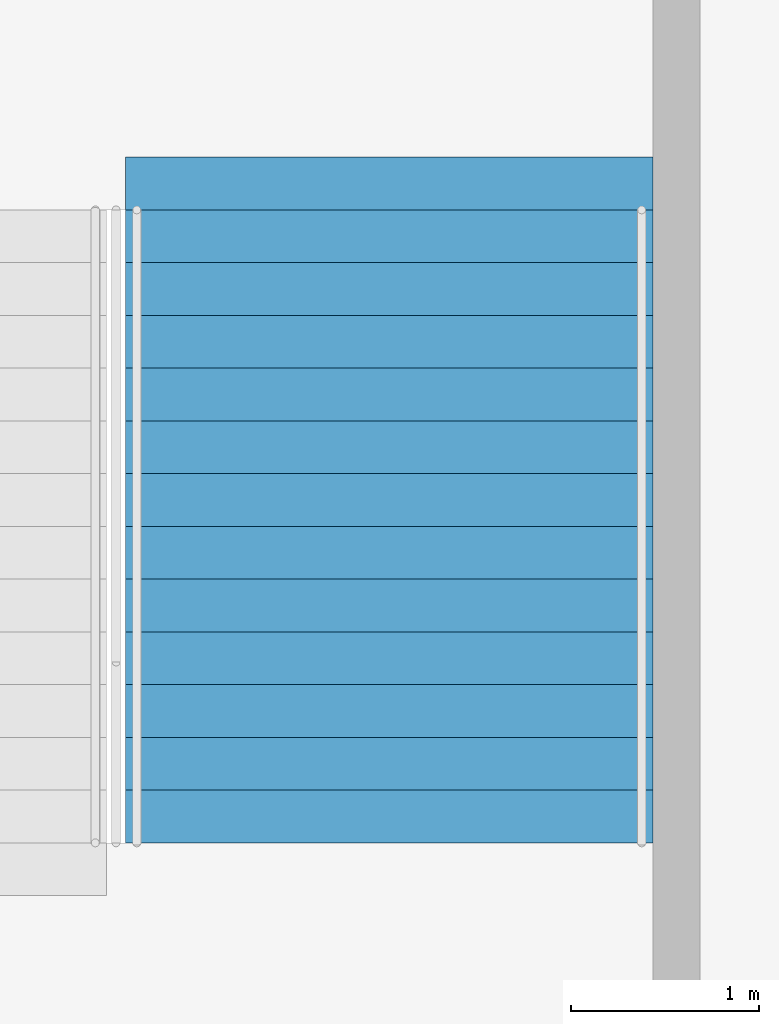
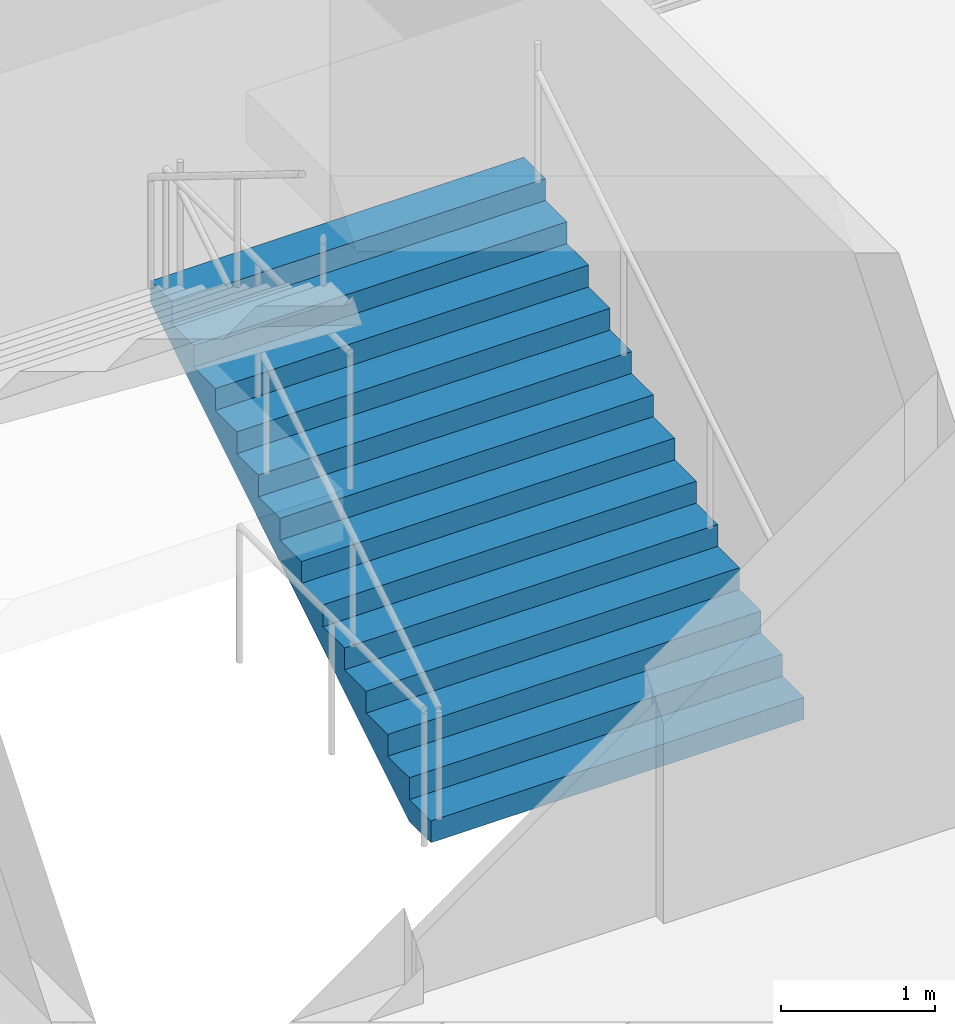
# One storey, part 170 of 199: 1 stair flight, 1 element without a shape of its own.
"""IFC4 building model written with IfcOpenShell, lengths in metres."""

from ifc_helpers import new_model, si_unit, direction, frame, origin, place, context, subcontext, project, spatial, faceted_brep, material, type_object, element, aggregate, save


model = new_model("IFC4")

# Units and contexts
model_context = context("Model", 3, precision=1e-05, world=origin(), true_north=direction((0.0, 1.0)))
body_context = subcontext(model_context, "Body", "Model", "MODEL_VIEW")
ifc_project = project(units=[si_unit("LENGTHUNIT", "METRE"), si_unit("AREAUNIT", "SQUARE_METRE"), si_unit("VOLUMEUNIT", "CUBIC_METRE"), si_unit("PLANEANGLEUNIT", "RADIAN"), si_unit("MASSUNIT", "GRAM", prefix="KILO")], contexts=[model_context])

# Site, building, storey
site_placement = place(None, origin())
site = spatial("IfcSite", under=ifc_project, at=site_placement, CompositionType="ELEMENT")
building_placement = place(site_placement, origin())
building = spatial("IfcBuilding", under=site, at=building_placement, Name="Ogive Plaza Stadium", CompositionType="ELEMENT")
storey_placement = place(building_placement, frame((0.0, 0.0, 9.0)))
storey = spatial("IfcBuildingStorey", under=building, at=storey_placement, Name="L02", CompositionType="ELEMENT", Elevation=9.0)

# Stair, stair flight
ifc_material_1 = material(Name="Concrete C40/50", Category="concrete")
stair_type = type_object("IfcStairType", Name="Exit stair", PredefinedType="STRAIGHT_RUN_STAIR", material=ifc_material_1)
stair_placement = place(storey_placement, origin())
stair = element("IfcStair", 1, at=stair_placement, inside=storey, type_object=stair_type, Name="Exit stair ST36A L02 to L03", PredefinedType="STRAIGHT_RUN_STAIR")
ifc_material_2 = material(Name="Concrete C40/50", Category="concrete")
stair_flight_type = type_object("IfcStairFlightType", Name="Exit stair flight", PredefinedType="STRAIGHT", material=ifc_material_2)
stair_flight_placement = place(storey_placement, frame((24.824951171875, 94.85009765625, 0.0), z_axis=(0.0, 0.0, 1.0), x_axis=(0.0, 1.0, 0.0)))
stair_flight = element("IfcStairFlight", 2, at=stair_flight_placement, type_object=stair_flight_type, Name="ST36A flight 1", NumberOfRisers=13, NumberOfTreads=12, PredefinedType="STRAIGHT", RiserHeight=0.173076923, TreadLength=0.28, context=body_context, shape_type="Brep", body=[
    faceted_brep([(0.28515625, -1.39990234375, 0.0), (3.639892578125, -1.39990234375, 2.07373046875), (3.639892578125, -1.39990234375, 2.25), (3.360107421875, -1.39990234375, 2.25), (3.360107421875, -1.39990234375, 2.076904296875), (3.080078125, -1.39990234375, 2.076904296875), (3.080078125, -1.39990234375, 1.90380859375), (2.800048828125, -1.39990234375, 1.90380859375), (2.800048828125, -1.39990234375, 1.730712890625), (2.52001953125, -1.39990234375, 1.730712890625), (2.52001953125, -1.39990234375, 1.5576171875), (2.239990234375, -1.39990234375, 1.5576171875), (2.239990234375, -1.39990234375, 1.384521484375), (1.9599609375, -1.39990234375, 1.384521484375), (1.9599609375, -1.39990234375, 1.21142578125), (1.679931640625, -1.39990234375, 1.21142578125), (1.679931640625, -1.39990234375, 1.03857421875), (1.39990234375, -1.39990234375, 1.03857421875), (1.39990234375, -1.39990234375, 0.865478515625), (1.1201171875, -1.39990234375, 0.865478515625), (1.1201171875, -1.39990234375, 0.6923828125), (0.840087890625, -1.39990234375, 0.6923828125), (0.840087890625, -1.39990234375, 0.519287109375), (0.56005859375, -1.39990234375, 0.519287109375), (0.56005859375, -1.39990234375, 0.34619140625), (0.280029296875, -1.39990234375, 0.34619140625), (0.280029296875, -1.39990234375, 0.173095703125), (0.0, -1.39990234375, 0.173095703125), (0.0, -1.39990234375, 0.0), (0.0, 1.39990234375, 0.0), (0.0, 1.39990234375, 0.173095703125), (0.280029296875, 1.39990234375, 0.173095703125), (0.280029296875, 1.39990234375, 0.34619140625), (0.56005859375, 1.39990234375, 0.34619140625), (0.56005859375, 1.39990234375, 0.519287109375), (0.840087890625, 1.39990234375, 0.519287109375), (0.840087890625, 1.39990234375, 0.6923828125), (1.1201171875, 1.39990234375, 0.6923828125), (1.1201171875, 1.39990234375, 0.865478515625), (1.39990234375, 1.39990234375, 0.865478515625), (1.39990234375, 1.39990234375, 1.03857421875), (1.679931640625, 1.39990234375, 1.03857421875), (1.679931640625, 1.39990234375, 1.21142578125), (1.9599609375, 1.39990234375, 1.21142578125), (1.9599609375, 1.39990234375, 1.384521484375), (2.239990234375, 1.39990234375, 1.384521484375), (2.239990234375, 1.39990234375, 1.5576171875), (2.52001953125, 1.39990234375, 1.5576171875), (2.52001953125, 1.39990234375, 1.730712890625), (2.800048828125, 1.39990234375, 1.730712890625), (2.800048828125, 1.39990234375, 1.90380859375), (3.080078125, 1.39990234375, 1.90380859375), (3.080078125, 1.39990234375, 2.076904296875), (3.360107421875, 1.39990234375, 2.076904296875), (3.360107421875, 1.39990234375, 2.25), (3.639892578125, 1.39990234375, 2.25), (3.639892578125, 1.39990234375, 2.07373046875), (0.28515625, 1.39990234375, 0.0), (0.28515625, -1.0888671875, 0.0), (3.639892578125, -1.0888671875, 2.07373046875), (0.28515625, -0.77783203125, 0.0), (3.639892578125, -0.77783203125, 2.07373046875), (0.28515625, -0.466796875, 0.0), (3.639892578125, -0.466796875, 2.07373046875), (0.28515625, -0.155517578125, 0.0), (3.639892578125, -0.155517578125, 2.07373046875), (0.28515625, 0.155517578125, 0.0), (3.639892578125, 0.155517578125, 2.07373046875), (0.28515625, 0.466796875, 0.0), (3.639892578125, 0.466796875, 2.07373046875), (0.28515625, 0.77783203125, 0.0), (3.639892578125, 0.77783203125, 2.07373046875), (0.28515625, 1.0888671875, 0.0), (3.639892578125, 1.0888671875, 2.07373046875), (3.639892578125, -1.0888671875, 2.25), (3.639892578125, -0.77783203125, 2.25), (3.639892578125, -0.466796875, 2.25), (3.639892578125, -0.155517578125, 2.25), (3.639892578125, 0.155517578125, 2.25), (3.639892578125, 0.466796875, 2.25), (3.639892578125, 0.77783203125, 2.25), (3.639892578125, 1.0888671875, 2.25), (3.360107421875, -1.0888671875, 2.25), (3.360107421875, -0.77783203125, 2.25), (3.360107421875, -0.466796875, 2.25), (3.360107421875, -0.155517578125, 2.25), (3.360107421875, 0.155517578125, 2.25), (3.360107421875, 0.466796875, 2.25), (3.360107421875, 0.77783203125, 2.25), (3.360107421875, 1.0888671875, 2.25), (3.360107421875, -1.0888671875, 2.076904296875), (3.360107421875, -0.77783203125, 2.076904296875), (3.360107421875, -0.466796875, 2.076904296875), (3.360107421875, -0.155517578125, 2.076904296875), (3.360107421875, 0.155517578125, 2.076904296875), (3.360107421875, 0.466796875, 2.076904296875), (3.360107421875, 0.77783203125, 2.076904296875), (3.360107421875, 1.0888671875, 2.076904296875), (3.080078125, -1.0888671875, 2.076904296875), (3.080078125, -0.77783203125, 2.076904296875), (3.080078125, -0.466796875, 2.076904296875), (3.080078125, -0.155517578125, 2.076904296875), (3.080078125, 0.155517578125, 2.076904296875), (3.080078125, 0.466796875, 2.076904296875), (3.080078125, 0.77783203125, 2.076904296875), (3.080078125, 1.0888671875, 2.076904296875), (3.080078125, -1.0888671875, 1.90380859375), (3.080078125, -0.77783203125, 1.90380859375), (3.080078125, -0.466796875, 1.90380859375), (3.080078125, -0.155517578125, 1.90380859375), (3.080078125, 0.155517578125, 1.90380859375), (3.080078125, 0.466796875, 1.90380859375), (3.080078125, 0.77783203125, 1.90380859375), (3.080078125, 1.0888671875, 1.90380859375), (2.800048828125, -1.0888671875, 1.90380859375), (2.800048828125, -0.77783203125, 1.90380859375), (2.800048828125, -0.466796875, 1.90380859375), (2.800048828125, -0.155517578125, 1.90380859375), (2.800048828125, 0.155517578125, 1.90380859375), (2.800048828125, 0.466796875, 1.90380859375), (2.800048828125, 0.77783203125, 1.90380859375), (2.800048828125, 1.0888671875, 1.90380859375), (2.800048828125, -1.0888671875, 1.730712890625), (2.800048828125, -0.77783203125, 1.730712890625), (2.800048828125, -0.466796875, 1.730712890625), (2.800048828125, -0.155517578125, 1.730712890625), (2.800048828125, 0.155517578125, 1.730712890625), (2.800048828125, 0.466796875, 1.730712890625), (2.800048828125, 0.77783203125, 1.730712890625), (2.800048828125, 1.0888671875, 1.730712890625), (2.52001953125, -1.0888671875, 1.730712890625), (2.52001953125, -0.77783203125, 1.730712890625), (2.52001953125, -0.466796875, 1.730712890625), (2.52001953125, -0.155517578125, 1.730712890625), (2.52001953125, 0.155517578125, 1.730712890625), (2.52001953125, 0.466796875, 1.730712890625), (2.52001953125, 0.77783203125, 1.730712890625), (2.52001953125, 1.0888671875, 1.730712890625), (2.52001953125, -1.0888671875, 1.5576171875), (2.52001953125, -0.77783203125, 1.5576171875), (2.52001953125, -0.466796875, 1.5576171875), (2.52001953125, -0.155517578125, 1.5576171875), (2.52001953125, 0.155517578125, 1.5576171875), (2.52001953125, 0.466796875, 1.5576171875), (2.52001953125, 0.77783203125, 1.5576171875), (2.52001953125, 1.0888671875, 1.5576171875), (2.239990234375, -1.0888671875, 1.5576171875), (2.239990234375, -0.77783203125, 1.5576171875), (2.239990234375, -0.466796875, 1.5576171875), (2.239990234375, -0.155517578125, 1.5576171875), (2.239990234375, 0.155517578125, 1.5576171875), (2.239990234375, 0.466796875, 1.5576171875), (2.239990234375, 0.77783203125, 1.5576171875), (2.239990234375, 1.0888671875, 1.5576171875), (2.239990234375, -1.0888671875, 1.384521484375), (2.239990234375, -0.77783203125, 1.384521484375), (2.239990234375, -0.466796875, 1.384521484375), (2.239990234375, -0.155517578125, 1.384521484375), (2.239990234375, 0.155517578125, 1.384521484375), (2.239990234375, 0.466796875, 1.384521484375), (2.239990234375, 0.77783203125, 1.384521484375), (2.239990234375, 1.0888671875, 1.384521484375), (1.9599609375, -1.0888671875, 1.384521484375), (1.9599609375, -0.77783203125, 1.384521484375), (1.9599609375, -0.466796875, 1.384521484375), (1.9599609375, -0.155517578125, 1.384521484375), (1.9599609375, 0.155517578125, 1.384521484375), (1.9599609375, 0.466796875, 1.384521484375), (1.9599609375, 0.77783203125, 1.384521484375), (1.9599609375, 1.0888671875, 1.384521484375), (1.9599609375, -1.0888671875, 1.21142578125), (1.9599609375, -0.77783203125, 1.21142578125), (1.9599609375, -0.466796875, 1.21142578125), (1.9599609375, -0.155517578125, 1.21142578125), (1.9599609375, 0.155517578125, 1.21142578125), (1.9599609375, 0.466796875, 1.21142578125), (1.9599609375, 0.77783203125, 1.21142578125), (1.9599609375, 1.0888671875, 1.21142578125), (1.679931640625, -1.0888671875, 1.21142578125), (1.679931640625, -0.77783203125, 1.21142578125), (1.679931640625, -0.466796875, 1.21142578125), (1.679931640625, -0.155517578125, 1.21142578125), (1.679931640625, 0.155517578125, 1.21142578125), (1.679931640625, 0.466796875, 1.21142578125), (1.679931640625, 0.77783203125, 1.21142578125), (1.679931640625, 1.0888671875, 1.21142578125), (1.679931640625, -1.0888671875, 1.03857421875), (1.679931640625, -0.77783203125, 1.03857421875), (1.679931640625, -0.466796875, 1.03857421875), (1.679931640625, -0.155517578125, 1.03857421875), (1.679931640625, 0.155517578125, 1.03857421875), (1.679931640625, 0.466796875, 1.03857421875), (1.679931640625, 0.77783203125, 1.03857421875), (1.679931640625, 1.0888671875, 1.03857421875), (1.39990234375, -1.0888671875, 1.03857421875), (1.39990234375, -0.77783203125, 1.03857421875), (1.39990234375, -0.466796875, 1.03857421875), (1.39990234375, -0.155517578125, 1.03857421875), (1.39990234375, 0.155517578125, 1.03857421875), (1.39990234375, 0.466796875, 1.03857421875), (1.39990234375, 0.77783203125, 1.03857421875), (1.39990234375, 1.0888671875, 1.03857421875), (1.39990234375, -1.0888671875, 0.865478515625), (1.39990234375, -0.77783203125, 0.865478515625), (1.39990234375, -0.466796875, 0.865478515625), (1.39990234375, -0.155517578125, 0.865478515625), (1.39990234375, 0.155517578125, 0.865478515625), (1.39990234375, 0.466796875, 0.865478515625), (1.39990234375, 0.77783203125, 0.865478515625), (1.39990234375, 1.0888671875, 0.865478515625), (1.1201171875, -1.0888671875, 0.865478515625), (1.1201171875, -0.77783203125, 0.865478515625), (1.1201171875, -0.466796875, 0.865478515625), (1.1201171875, -0.155517578125, 0.865478515625), (1.1201171875, 0.155517578125, 0.865478515625), (1.1201171875, 0.466796875, 0.865478515625), (1.1201171875, 0.77783203125, 0.865478515625), (1.1201171875, 1.0888671875, 0.865478515625), (1.1201171875, -1.0888671875, 0.6923828125), (1.1201171875, -0.77783203125, 0.6923828125), (1.1201171875, -0.466796875, 0.6923828125), (1.1201171875, -0.155517578125, 0.6923828125), (1.1201171875, 0.155517578125, 0.6923828125), (1.1201171875, 0.466796875, 0.6923828125), (1.1201171875, 0.77783203125, 0.6923828125), (1.1201171875, 1.0888671875, 0.6923828125), (0.840087890625, -1.0888671875, 0.6923828125), (0.840087890625, -0.77783203125, 0.6923828125), (0.840087890625, -0.466796875, 0.6923828125), (0.840087890625, -0.155517578125, 0.6923828125), (0.840087890625, 0.155517578125, 0.6923828125), (0.840087890625, 0.466796875, 0.6923828125), (0.840087890625, 0.77783203125, 0.6923828125), (0.840087890625, 1.0888671875, 0.6923828125), (0.840087890625, -1.0888671875, 0.519287109375), (0.840087890625, -0.77783203125, 0.519287109375), (0.840087890625, -0.466796875, 0.519287109375), (0.840087890625, -0.155517578125, 0.519287109375), (0.840087890625, 0.155517578125, 0.519287109375), (0.840087890625, 0.466796875, 0.519287109375), (0.840087890625, 0.77783203125, 0.519287109375), (0.840087890625, 1.0888671875, 0.519287109375), (0.56005859375, -1.0888671875, 0.519287109375), (0.56005859375, -0.77783203125, 0.519287109375), (0.56005859375, -0.466796875, 0.519287109375), (0.56005859375, -0.155517578125, 0.519287109375), (0.56005859375, 0.155517578125, 0.519287109375), (0.56005859375, 0.466796875, 0.519287109375), (0.56005859375, 0.77783203125, 0.519287109375), (0.56005859375, 1.0888671875, 0.519287109375), (0.56005859375, -1.0888671875, 0.34619140625), (0.56005859375, -0.77783203125, 0.34619140625), (0.56005859375, -0.466796875, 0.34619140625), (0.56005859375, -0.155517578125, 0.34619140625), (0.56005859375, 0.155517578125, 0.34619140625), (0.56005859375, 0.466796875, 0.34619140625), (0.56005859375, 0.77783203125, 0.34619140625), (0.56005859375, 1.0888671875, 0.34619140625), (0.280029296875, -1.0888671875, 0.34619140625), (0.280029296875, -0.77783203125, 0.34619140625), (0.280029296875, -0.466796875, 0.34619140625), (0.280029296875, -0.155517578125, 0.34619140625), (0.280029296875, 0.155517578125, 0.34619140625), (0.280029296875, 0.466796875, 0.34619140625), (0.280029296875, 0.77783203125, 0.34619140625), (0.280029296875, 1.0888671875, 0.34619140625), (0.280029296875, -1.0888671875, 0.173095703125), (0.280029296875, -0.77783203125, 0.173095703125), (0.280029296875, -0.466796875, 0.173095703125), (0.280029296875, -0.155517578125, 0.173095703125), (0.280029296875, 0.155517578125, 0.173095703125), (0.280029296875, 0.466796875, 0.173095703125), (0.280029296875, 0.77783203125, 0.173095703125), (0.280029296875, 1.0888671875, 0.173095703125), (0.0, -1.0888671875, 0.173095703125), (0.0, -0.77783203125, 0.173095703125), (0.0, -0.466796875, 0.173095703125), (0.0, -0.155517578125, 0.173095703125), (0.0, 0.155517578125, 0.173095703125), (0.0, 0.466796875, 0.173095703125), (0.0, 0.77783203125, 0.173095703125), (0.0, 1.0888671875, 0.173095703125), (0.0, -1.0888671875, 0.0), (0.0, -0.77783203125, 0.0), (0.0, -0.466796875, 0.0), (0.0, -0.155517578125, 0.0), (0.0, 0.155517578125, 0.0), (0.0, 0.466796875, 0.0), (0.0, 0.77783203125, 0.0), (0.0, 1.0888671875, 0.0)], [[[0, 1, 2, 3, 4, 5, 6, 7, 8, 9, 10, 11, 12, 13, 14, 15, 16, 17, 18, 19, 20, 21, 22, 23, 24, 25, 26, 27, 28]], [[29, 30, 31, 32, 33, 34, 35, 36, 37, 38, 39, 40, 41, 42, 43, 44, 45, 46, 47, 48, 49, 50, 51, 52, 53, 54, 55, 56, 57]], [[0, 58, 59, 1]], [[58, 60, 61, 59]], [[60, 62, 63, 61]], [[62, 64, 65, 63]], [[64, 66, 67, 65]], [[66, 68, 69, 67]], [[68, 70, 71, 69]], [[70, 72, 73, 71]], [[72, 57, 56, 73]], [[1, 59, 74, 2]], [[59, 61, 75, 74]], [[61, 63, 76, 75]], [[63, 65, 77, 76]], [[65, 67, 78, 77]], [[67, 69, 79, 78]], [[69, 71, 80, 79]], [[71, 73, 81, 80]], [[73, 56, 55, 81]], [[2, 74, 82, 3]], [[74, 75, 83, 82]], [[75, 76, 84, 83]], [[76, 77, 85, 84]], [[77, 78, 86, 85]], [[78, 79, 87, 86]], [[79, 80, 88, 87]], [[80, 81, 89, 88]], [[81, 55, 54, 89]], [[3, 82, 90, 4]], [[82, 83, 91, 90]], [[83, 84, 92, 91]], [[84, 85, 93, 92]], [[85, 86, 94, 93]], [[86, 87, 95, 94]], [[87, 88, 96, 95]], [[88, 89, 97, 96]], [[89, 54, 53, 97]], [[4, 90, 98, 5]], [[90, 91, 99, 98]], [[91, 92, 100, 99]], [[92, 93, 101, 100]], [[93, 94, 102, 101]], [[94, 95, 103, 102]], [[95, 96, 104, 103]], [[96, 97, 105, 104]], [[97, 53, 52, 105]], [[5, 98, 106, 6]], [[98, 99, 107, 106]], [[99, 100, 108, 107]], [[100, 101, 109, 108]], [[101, 102, 110, 109]], [[102, 103, 111, 110]], [[103, 104, 112, 111]], [[104, 105, 113, 112]], [[105, 52, 51, 113]], [[6, 106, 114, 7]], [[106, 107, 115, 114]], [[107, 108, 116, 115]], [[108, 109, 117, 116]], [[109, 110, 118, 117]], [[110, 111, 119, 118]], [[111, 112, 120, 119]], [[112, 113, 121, 120]], [[113, 51, 50, 121]], [[7, 114, 122, 8]], [[114, 115, 123, 122]], [[115, 116, 124, 123]], [[116, 117, 125, 124]], [[117, 118, 126, 125]], [[118, 119, 127, 126]], [[119, 120, 128, 127]], [[120, 121, 129, 128]], [[121, 50, 49, 129]], [[8, 122, 130, 9]], [[122, 123, 131, 130]], [[123, 124, 132, 131]], [[124, 125, 133, 132]], [[125, 126, 134, 133]], [[126, 127, 135, 134]], [[127, 128, 136, 135]], [[128, 129, 137, 136]], [[129, 49, 48, 137]], [[9, 130, 138, 10]], [[130, 131, 139, 138]], [[131, 132, 140, 139]], [[132, 133, 141, 140]], [[133, 134, 142, 141]], [[134, 135, 143, 142]], [[135, 136, 144, 143]], [[136, 137, 145, 144]], [[137, 48, 47, 145]], [[10, 138, 146, 11]], [[138, 139, 147, 146]], [[139, 140, 148, 147]], [[140, 141, 149, 148]], [[141, 142, 150, 149]], [[142, 143, 151, 150]], [[143, 144, 152, 151]], [[144, 145, 153, 152]], [[145, 47, 46, 153]], [[11, 146, 154, 12]], [[146, 147, 155, 154]], [[147, 148, 156, 155]], [[148, 149, 157, 156]], [[149, 150, 158, 157]], [[150, 151, 159, 158]], [[151, 152, 160, 159]], [[152, 153, 161, 160]], [[153, 46, 45, 161]], [[12, 154, 162, 13]], [[154, 155, 163, 162]], [[155, 156, 164, 163]], [[156, 157, 165, 164]], [[157, 158, 166, 165]], [[158, 159, 167, 166]], [[159, 160, 168, 167]], [[160, 161, 169, 168]], [[161, 45, 44, 169]], [[13, 162, 170, 14]], [[162, 163, 171, 170]], [[163, 164, 172, 171]], [[164, 165, 173, 172]], [[165, 166, 174, 173]], [[166, 167, 175, 174]], [[167, 168, 176, 175]], [[168, 169, 177, 176]], [[169, 44, 43, 177]], [[14, 170, 178, 15]], [[170, 171, 179, 178]], [[171, 172, 180, 179]], [[172, 173, 181, 180]], [[173, 174, 182, 181]], [[174, 175, 183, 182]], [[175, 176, 184, 183]], [[176, 177, 185, 184]], [[177, 43, 42, 185]], [[15, 178, 186, 16]], [[178, 179, 187, 186]], [[179, 180, 188, 187]], [[180, 181, 189, 188]], [[181, 182, 190, 189]], [[182, 183, 191, 190]], [[183, 184, 192, 191]], [[184, 185, 193, 192]], [[185, 42, 41, 193]], [[16, 186, 194, 17]], [[186, 187, 195, 194]], [[187, 188, 196, 195]], [[188, 189, 197, 196]], [[189, 190, 198, 197]], [[190, 191, 199, 198]], [[191, 192, 200, 199]], [[192, 193, 201, 200]], [[193, 41, 40, 201]], [[17, 194, 202, 18]], [[194, 195, 203, 202]], [[195, 196, 204, 203]], [[196, 197, 205, 204]], [[197, 198, 206, 205]], [[198, 199, 207, 206]], [[199, 200, 208, 207]], [[200, 201, 209, 208]], [[201, 40, 39, 209]], [[18, 202, 210, 19]], [[202, 203, 211, 210]], [[203, 204, 212, 211]], [[204, 205, 213, 212]], [[205, 206, 214, 213]], [[206, 207, 215, 214]], [[207, 208, 216, 215]], [[208, 209, 217, 216]], [[209, 39, 38, 217]], [[19, 210, 218, 20]], [[210, 211, 219, 218]], [[211, 212, 220, 219]], [[212, 213, 221, 220]], [[213, 214, 222, 221]], [[214, 215, 223, 222]], [[215, 216, 224, 223]], [[216, 217, 225, 224]], [[217, 38, 37, 225]], [[20, 218, 226, 21]], [[218, 219, 227, 226]], [[219, 220, 228, 227]], [[220, 221, 229, 228]], [[221, 222, 230, 229]], [[222, 223, 231, 230]], [[223, 224, 232, 231]], [[224, 225, 233, 232]], [[225, 37, 36, 233]], [[21, 226, 234, 22]], [[226, 227, 235, 234]], [[227, 228, 236, 235]], [[228, 229, 237, 236]], [[229, 230, 238, 237]], [[230, 231, 239, 238]], [[231, 232, 240, 239]], [[232, 233, 241, 240]], [[233, 36, 35, 241]], [[22, 234, 242, 23]], [[234, 235, 243, 242]], [[235, 236, 244, 243]], [[236, 237, 245, 244]], [[237, 238, 246, 245]], [[238, 239, 247, 246]], [[239, 240, 248, 247]], [[240, 241, 249, 248]], [[241, 35, 34, 249]], [[23, 242, 250, 24]], [[242, 243, 251, 250]], [[243, 244, 252, 251]], [[244, 245, 253, 252]], [[245, 246, 254, 253]], [[246, 247, 255, 254]], [[247, 248, 256, 255]], [[248, 249, 257, 256]], [[249, 34, 33, 257]], [[24, 250, 258, 25]], [[250, 251, 259, 258]], [[251, 252, 260, 259]], [[252, 253, 261, 260]], [[253, 254, 262, 261]], [[254, 255, 263, 262]], [[255, 256, 264, 263]], [[256, 257, 265, 264]], [[257, 33, 32, 265]], [[25, 258, 266, 26]], [[258, 259, 267, 266]], [[259, 260, 268, 267]], [[260, 261, 269, 268]], [[261, 262, 270, 269]], [[262, 263, 271, 270]], [[263, 264, 272, 271]], [[264, 265, 273, 272]], [[265, 32, 31, 273]], [[26, 266, 274, 27]], [[266, 267, 275, 274]], [[267, 268, 276, 275]], [[268, 269, 277, 276]], [[269, 270, 278, 277]], [[270, 271, 279, 278]], [[271, 272, 280, 279]], [[272, 273, 281, 280]], [[273, 31, 30, 281]], [[27, 274, 282, 28]], [[274, 275, 283, 282]], [[275, 276, 284, 283]], [[276, 277, 285, 284]], [[277, 278, 286, 285]], [[278, 279, 287, 286]], [[279, 280, 288, 287]], [[280, 281, 289, 288]], [[281, 30, 29, 289]], [[28, 282, 58, 0]], [[282, 283, 60, 58]], [[283, 284, 62, 60]], [[284, 285, 64, 62]], [[285, 286, 66, 64]], [[286, 287, 68, 66]], [[287, 288, 70, 68]], [[288, 289, 72, 70]], [[289, 29, 57, 72]]]),
])
aggregate(stair, [stair_flight])

save(model, "model.ifc")
